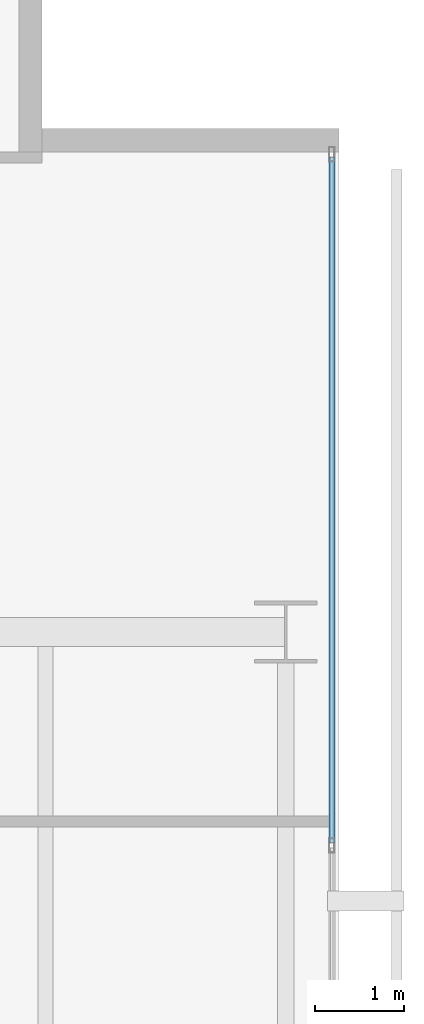
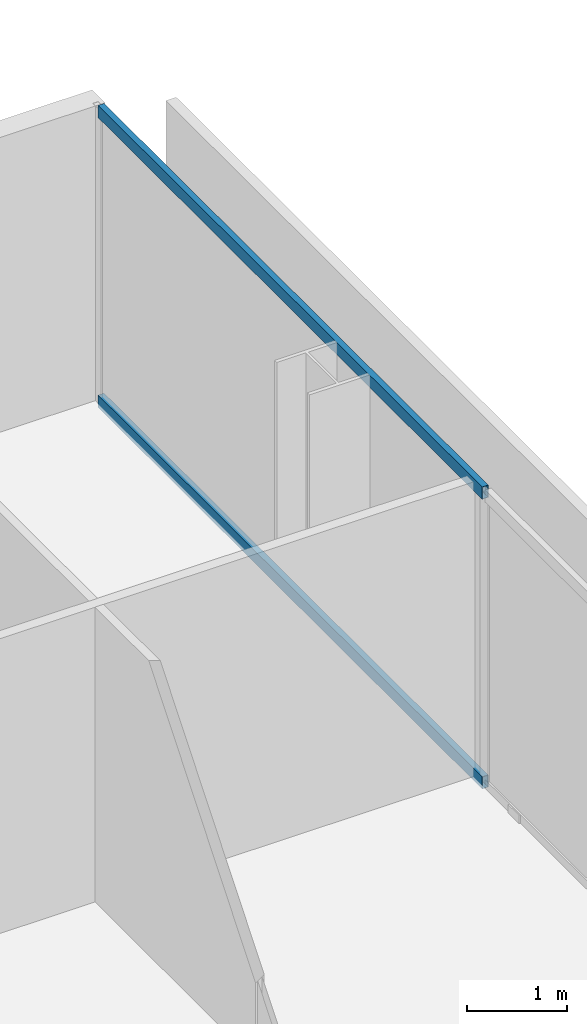
# One storey, part 29 of 40: 2 members, 1 element without a shape of its own.
"""IFC4 building model written with IfcOpenShell, lengths in metres."""

from ifc_helpers import new_model, si_unit, direction, frame, origin, origin_2d, place, context, subcontext, project, spatial, hollow_rectangle, extrude, material, layer, layer_set, material_profile, profile_set, type_object, element, aggregate, save


model = new_model("IFC4")

# Units and contexts
model_context = context("Model", 3, precision=1e-05, world=origin(), true_north=direction((0.0, 1.0)))
body_context = subcontext(model_context, "Body", "Model", "MODEL_VIEW")
ifc_project = project(units=[si_unit("LENGTHUNIT", "METRE"), si_unit("AREAUNIT", "SQUARE_METRE"), si_unit("VOLUMEUNIT", "CUBIC_METRE"), si_unit("PLANEANGLEUNIT", "RADIAN"), si_unit("MASSUNIT", "GRAM", prefix="KILO")], contexts=[model_context])

# Site, building, storey
site_placement = place(None, origin())
site = spatial("IfcSite", under=ifc_project, at=site_placement, CompositionType="ELEMENT")
building_placement = place(site_placement, origin())
building = spatial("IfcBuilding", under=site, at=building_placement, Name="Maruvema Waterfront Hotel and Observation Tower", CompositionType="ELEMENT")
storey_placement = place(building_placement, frame((0.0, 0.0, 50.050048828125)))
storey = spatial("IfcBuildingStorey", under=building, at=storey_placement, Name="L11", CompositionType="ELEMENT", Elevation=50.050048828125)

# Curtain wall, members
ifc_material_1 = material(Name="Anodised bronze aluminium and solar-control low-E IGU", Category="aluminium")
ifc_layer = layer(ifc_material_1, 0.159912109375, Name="Zone 1 Bronze Inner Thermal Curtain Wall System CW-02")
ifc_layer_set = layer_set([ifc_layer], Name="Anodised bronze aluminium and solar-control low-E IGU")
curtain_wall_type = type_object("IfcCurtainWallType", Name="Zone 1 Bronze Inner Thermal Curtain Wall System CW-02", PredefinedType="USERDEFINED", material=ifc_layer_set)
curtain_wall_placement = place(storey_placement, origin())
curtain_wall = element("IfcCurtainWall", 1, at=curtain_wall_placement, inside=storey, type_object=curtain_wall_type, Name="L11 Curtain Wall CW-L11-E", ObjectType="UNITISED CURTAIN WALL", PredefinedType="USERDEFINED")
ifc_material_2 = material(Name="Anodised architectural bronze aluminium", Category="aluminium")
ifc_material_profile = material_profile(ifc_material_2, hollow_rectangle(XDim=0.070068359375, YDim=0.14990234375, WallThickness=0.00390625, at=origin_2d()), Name="ALU-T70x150")
ifc_profile_set = profile_set([ifc_material_profile], Name="Anodised architectural bronze aluminium")
member_type = type_object("IfcMemberType", Name="Curtain Wall Horizontal Transom ALU-T70x150", PredefinedType="USERDEFINED", material=ifc_profile_set)
member_1_placement = place(storey_placement, frame((64.719970703125, 42.6298828125, 0.030029296875), z_axis=(0.0, 1.0, 0.0), x_axis=(-1.0, 0.0, 0.0)))
member_1 = element("IfcMember", 2, at=member_1_placement, type_object=member_type, Name="CW-02 transom 6.1", ObjectType="TRANSOM", PredefinedType="USERDEFINED", context=body_context, shape_type="SweptSolid", body=[
    extrude(hollow_rectangle(XDim=0.070068359375, YDim=0.14990234375, WallThickness=0.00390625, at=origin_2d()), origin(), (0.0, 0.0, 1.0), 7.710205078125),
])
member_2_placement = place(storey_placement, frame((64.719970703125, 42.6298828125, 3.579833984375), z_axis=(0.0, 1.0, 0.0), x_axis=(-1.0, 0.0, 0.0)))
member_2 = element("IfcMember", 3, at=member_2_placement, type_object=member_type, Name="CW-02 transom 6.2", ObjectType="TRANSOM", PredefinedType="USERDEFINED", context=body_context, shape_type="SweptSolid", body=[
    extrude(hollow_rectangle(XDim=0.070068359375, YDim=0.14990234375, WallThickness=0.00390625, at=origin_2d()), origin(), (0.0, 0.0, 1.0), 7.710205078125),
])
aggregate(curtain_wall, [member_1, member_2])

save(model, "model.ifc")
